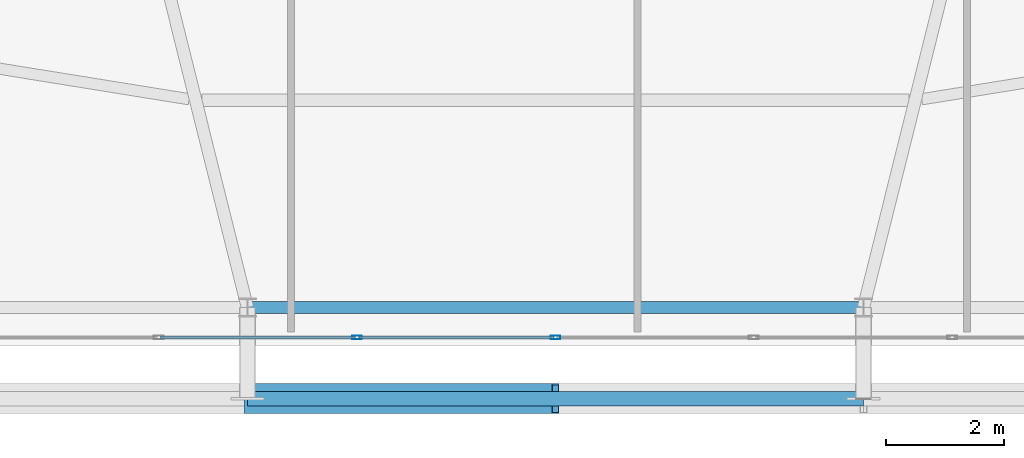
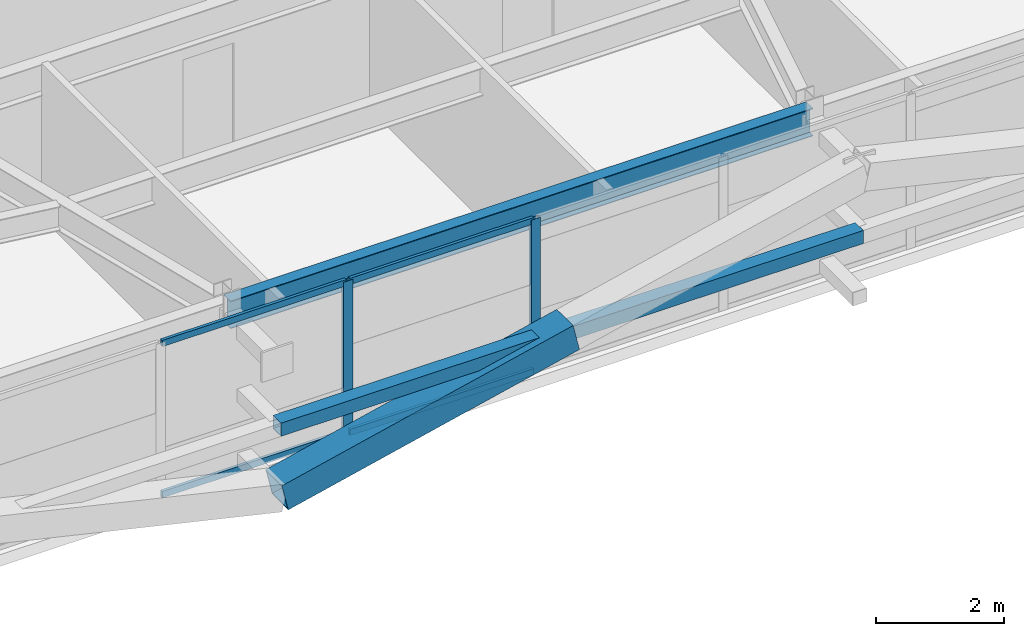
# One storey, part 12 of 58: 8 members, 1 beam, 1 element without a shape of its own.
"""IFC4 building model written with IfcOpenShell, lengths in metres."""

from ifc_helpers import new_model, si_unit, direction, frame, origin, origin_2d, place, context, subcontext, project, spatial, hollow_rectangle, i_section, extrude, source, transform, mapped, material, layer, layer_set, material_profile, profile_set, type_object, element, aggregate, save


model = new_model("IFC4")

# Units and contexts
model_context = context("Model", 3, precision=1e-05, world=origin(), true_north=direction((0.0, 1.0)))
body_context = subcontext(model_context, "Body", "Model", "MODEL_VIEW")
ifc_project = project(units=[si_unit("LENGTHUNIT", "METRE"), si_unit("AREAUNIT", "SQUARE_METRE"), si_unit("VOLUMEUNIT", "CUBIC_METRE"), si_unit("PLANEANGLEUNIT", "RADIAN"), si_unit("MASSUNIT", "GRAM", prefix="KILO")], contexts=[model_context])

# Site, building, storey
site_placement = place(None, origin())
site = spatial("IfcSite", under=ifc_project, at=site_placement, CompositionType="ELEMENT")
building_placement = place(site_placement, origin())
building = spatial("IfcBuilding", under=site, at=building_placement, Name="Taldren Reach Tower", CompositionType="ELEMENT")
storey_placement = place(building_placement, frame((0.0, 0.0, 54.60009765625)))
storey = spatial("IfcBuildingStorey", under=building, at=storey_placement, Name="L16", CompositionType="ELEMENT", Elevation=54.60009765625)

# Beam
ifc_material_1 = material(Name="Steel Gr 350 (350PLUS)", Category="steel")
ifc_material_profile_1 = material_profile(ifc_material_1, i_section(OverallWidth=0.208984375, OverallDepth=0.528076171875, WebThickness=0.009521484375, FlangeThickness=0.01318359375, at=origin_2d()), Name="530UB82.0")
ifc_profile_set_1 = profile_set([ifc_material_profile_1], Name="Steel Gr 350 (350PLUS)")
beam_type = type_object("IfcBeamType", Name="SP-UB530B", PredefinedType="SPANDREL", material=ifc_profile_set_1)
shared_shape_1 = source(origin(), body_context, "Body", "SweptSolid", [
    extrude(i_section(OverallWidth=0.208984375, OverallDepth=0.528076171875, WebThickness=0.009521484375, FlangeThickness=0.01318359375, at=origin_2d()), origin(), (0.0, 0.0, 1.0), 10.47998046875),
])
beam_placement = place(storey_placement, frame((29.760009765625, 2.14990234375, 2.666015625), z_axis=(1.0, 0.0, 0.0), x_axis=(0.0, 1.0, 0.0)))
element("IfcBeam", 1, at=beam_placement, inside=storey, type_object=beam_type, Name="Perimeter spandrel B1 S3-S4 L16", PredefinedType="SPANDREL", context=body_context, shape_type="MappedRepresentation", body=[
    mapped(shared_shape_1, transform((0.0, 0.0, 0.0), scale=1.0)),
])

# Members
ifc_material_2 = material(Name="Steel Gr 450 (C450L0)", Category="steel")
ifc_material_profile_2 = material_profile(ifc_material_2, hollow_rectangle(XDim=0.510009765625, YDim=0.510009765625, WallThickness=0.02001953125, at=origin_2d()), Name="510x510x20.0SHS")
ifc_profile_set_2 = profile_set([ifc_material_profile_2], Name="Steel Gr 450 (C450L0)")
member_type_1 = type_object("IfcMemberType", Name="MB-EXO508", PredefinedType="BRACE", material=ifc_profile_set_2)
shared_shape_2 = source(origin(), body_context, "Body", "SweptSolid", [
    extrude(hollow_rectangle(XDim=0.510009765625, YDim=0.510009765625, WallThickness=0.02001953125, at=origin_2d()), origin(), (0.0, 0.0, 1.0), 5.37890625),
])
member_1_placement = place(storey_placement, frame((29.760009765625, 0.60009765625, 0.219970703125), z_axis=(0.974161966843, 0.0, 0.225850531007), x_axis=(0.0, 1.0, 0.0)))
element("IfcMember", 2, at=member_1_placement, inside=storey, type_object=member_type_1, Name="Exoskeleton Diagrid Brace B1-S3 L16", PredefinedType="BRACE", context=body_context, shape_type="MappedRepresentation", body=[
    mapped(shared_shape_2, transform((0.0, 0.0, 0.0), scale=1.0)),
])
ifc_material_3 = material(Name="Steel Gr 350 (C350L0)", Category="steel")
ifc_material_profile_3 = material_profile(ifc_material_3, hollow_rectangle(XDim=0.25, YDim=0.25, WallThickness=0.010009765625, at=origin_2d()), Name="250x250x10.0SHS")
ifc_profile_set_3 = profile_set([ifc_material_profile_3], Name="Steel Gr 350 (C350L0)")
member_type_2 = type_object("IfcMemberType", Name="MB-POST250", PredefinedType="POST", material=ifc_profile_set_3)
shared_shape_3 = source(origin(), body_context, "Body", "SweptSolid", [
    extrude(hollow_rectangle(XDim=0.25, YDim=0.25, WallThickness=0.010009765625, at=origin_2d()), origin(), (0.0, 0.0, 1.0), 10.47998046875),
])
member_2_placement = place(storey_placement, frame((29.760009765625, 0.60009765625, 1.434814453125), z_axis=(1.0, 0.0, 0.0), x_axis=(0.0, 1.0, 0.0)))
element("IfcMember", 3, at=member_2_placement, inside=storey, type_object=member_type_2, Name="Exoskeleton mid-height ring chord B1-S3 L16", PredefinedType="POST", context=body_context, shape_type="MappedRepresentation", body=[
    mapped(shared_shape_3, transform((0.0, 0.0, 0.0), scale=1.0)),
])

# Curtain wall, members
ifc_material_4 = material(Name="Aluminium and Low-E Glass Unitised System", Category="aluminium")
ifc_layer = layer(ifc_material_4, 0.159912109375)
ifc_layer_set = layer_set([ifc_layer], Name="Aluminium and Low-E Glass Unitised System")
curtain_wall_type = type_object("IfcCurtainWallType", Name="CW-SYS-2", PredefinedType="NOTDEFINED", material=ifc_layer_set)
curtain_wall_placement = place(storey_placement, origin())
curtain_wall = element("IfcCurtainWall", 4, at=curtain_wall_placement, inside=storey, type_object=curtain_wall_type, Name="Unitised curtain wall CW-L16-S", PredefinedType="NOTDEFINED")
ifc_material_5 = material(Name="Anodised Aluminium 6063-T6", Category="aluminium")
ifc_material_profile_4 = material_profile(ifc_material_5, hollow_rectangle(XDim=0.06494140625, YDim=0.1650390625, WallThickness=0.00390625, at=origin_2d()), Name="ALU-165x65x4RHS")
ifc_profile_set_4 = profile_set([ifc_material_profile_4], Name="Anodised Aluminium 6063-T6")
member_type_3 = type_object("IfcMemberType", Name="CW-MUL-165", PredefinedType="MULLION", material=ifc_profile_set_4)
shared_shape_4 = source(origin(), body_context, "Body", "SweptSolid", [
    extrude(hollow_rectangle(XDim=0.06494140625, YDim=0.1650390625, WallThickness=0.00390625, at=origin_2d()), origin(), (0.0, 0.0, 1.0), 2.929931640625),
])
member_3_placement = place(storey_placement, frame((31.625, 1.639892578125, 0.0), z_axis=(0.0, 0.0, 1.0), x_axis=(0.0, 1.0, 0.0)))
member_3 = element("IfcMember", 5, at=member_3_placement, type_object=member_type_3, Name="CW-2 mullion 8", PredefinedType="MULLION", context=body_context, shape_type="MappedRepresentation", body=[
    mapped(shared_shape_4, transform((0.0, 0.0, 0.0), scale=1.0)),
])
member_4_placement = place(storey_placement, frame((35.0, 1.639892578125, 0.0), z_axis=(0.0, 0.0, 1.0), x_axis=(0.0, 1.0, 0.0)))
member_4 = element("IfcMember", 6, at=member_4_placement, type_object=member_type_3, Name="CW-2 mullion 9", PredefinedType="MULLION", context=body_context, shape_type="MappedRepresentation", body=[
    mapped(shared_shape_4, transform((0.0, 0.0, 0.0), scale=1.0)),
])
ifc_material_profile_5 = material_profile(ifc_material_5, hollow_rectangle(XDim=0.054931640625, YDim=0.1201171875, WallThickness=0.0029296875, at=origin_2d()), Name="ALU-120x55x3RHS")
ifc_profile_set_5 = profile_set([ifc_material_profile_5], Name="Anodised Aluminium 6063-T6")
member_type_4 = type_object("IfcMemberType", Name="CW-TRN-135", PredefinedType="USERDEFINED", material=ifc_profile_set_5)
shared_shape_5 = source(origin(), body_context, "Body", "SweptSolid", [
    extrude(hollow_rectangle(XDim=0.054931640625, YDim=0.1201171875, WallThickness=0.0029296875, at=origin_2d()), origin(), (0.0, 0.0, 1.0), 3.31005859375),
])
member_5_placement = place(storey_placement, frame((28.282470703125, 1.639892578125, 0.02734375), z_axis=(1.0, 0.0, 0.0), x_axis=(0.0, 1.0, 0.0)))
member_5 = element("IfcMember", 7, at=member_5_placement, type_object=member_type_4, Name="CW-2 transom 7.1", ObjectType="TRANSOM", PredefinedType="USERDEFINED", context=body_context, shape_type="MappedRepresentation", body=[
    mapped(shared_shape_5, transform((0.0, 0.0, 0.0), scale=1.0)),
])
member_6_placement = place(storey_placement, frame((28.282470703125, 1.639892578125, 2.90234375), z_axis=(1.0, 0.0, 0.0), x_axis=(0.0, 1.0, 0.0)))
member_6 = element("IfcMember", 8, at=member_6_placement, type_object=member_type_4, Name="CW-2 transom 7.2", ObjectType="TRANSOM", PredefinedType="USERDEFINED", context=body_context, shape_type="MappedRepresentation", body=[
    mapped(shared_shape_5, transform((0.0, 0.0, 0.0), scale=1.0)),
])
member_7_placement = place(storey_placement, frame((31.657470703125, 1.639892578125, 0.02734375), z_axis=(1.0, 0.0, 0.0), x_axis=(0.0, 1.0, 0.0)))
member_7 = element("IfcMember", 9, at=member_7_placement, type_object=member_type_4, Name="CW-2 transom 8.1", ObjectType="TRANSOM", PredefinedType="USERDEFINED", context=body_context, shape_type="MappedRepresentation", body=[
    mapped(shared_shape_5, transform((0.0, 0.0, 0.0), scale=1.0)),
])
member_8_placement = place(storey_placement, frame((31.657470703125, 1.639892578125, 2.90234375), z_axis=(1.0, 0.0, 0.0), x_axis=(0.0, 1.0, 0.0)))
member_8 = element("IfcMember", 10, at=member_8_placement, type_object=member_type_4, Name="CW-2 transom 8.2", ObjectType="TRANSOM", PredefinedType="USERDEFINED", context=body_context, shape_type="MappedRepresentation", body=[
    mapped(shared_shape_5, transform((0.0, 0.0, 0.0), scale=1.0)),
])
aggregate(curtain_wall, [member_3, member_4, member_5, member_6, member_7, member_8])

save(model, "model.ifc")
